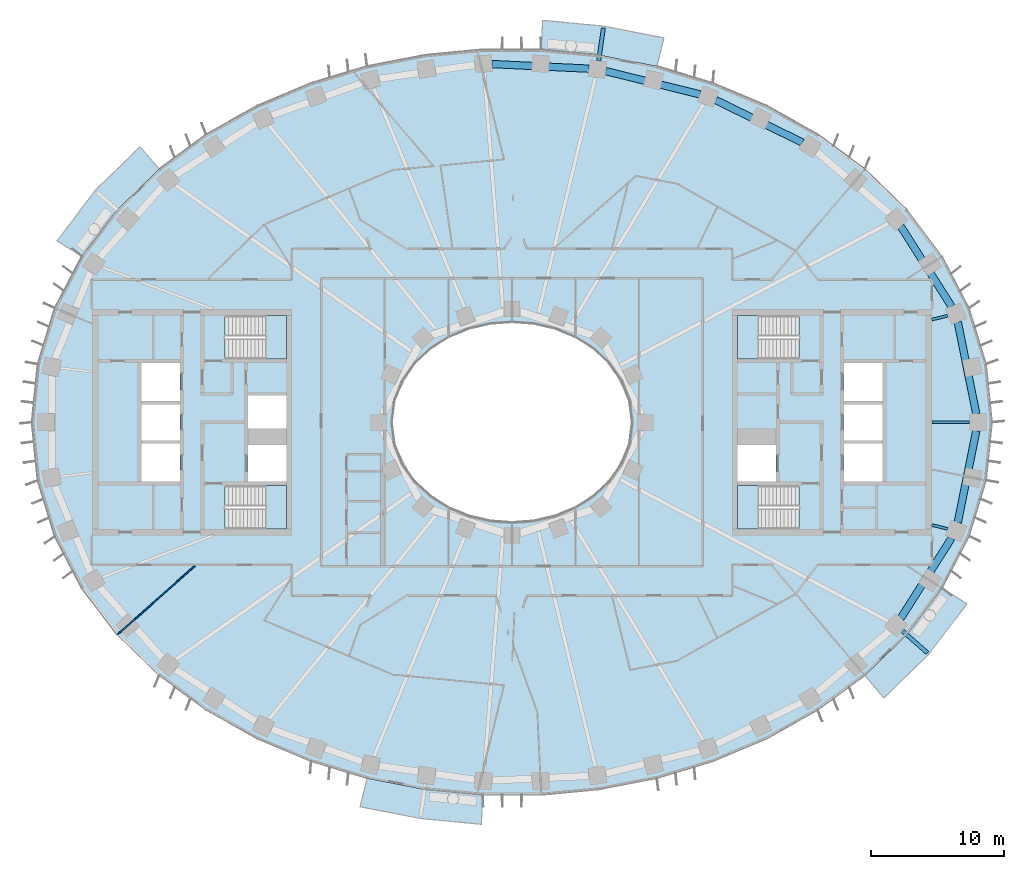
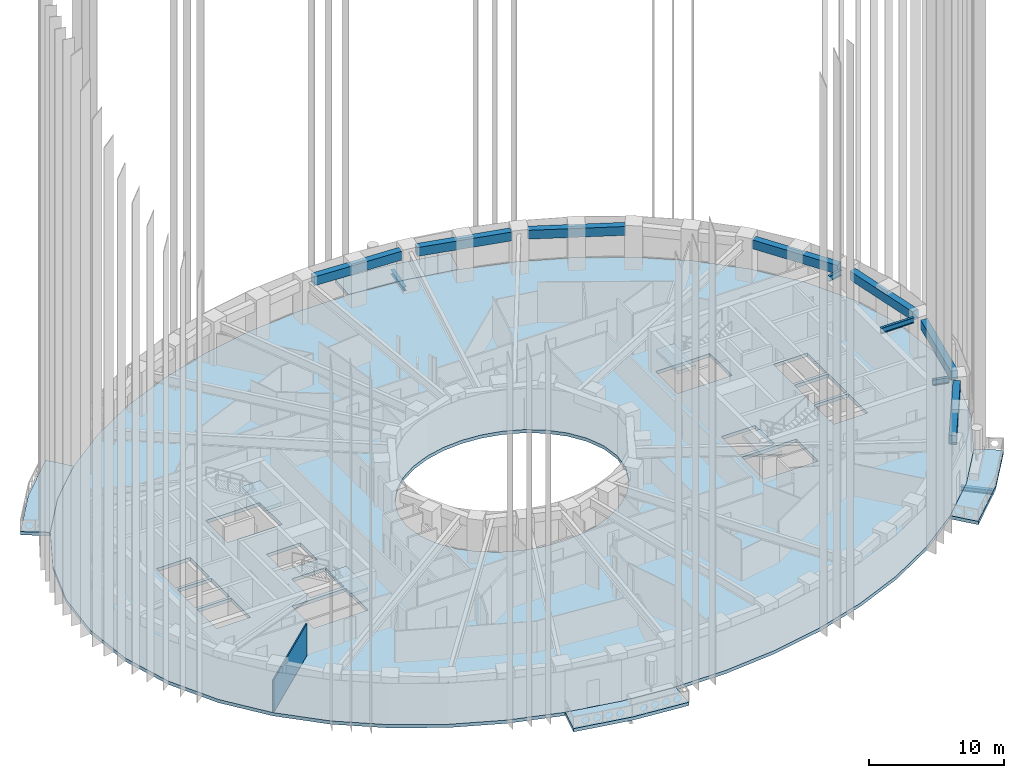
# One storey, part 2 of 20: 12 beams, 9 slabs, 1 wall, 4 elements without a shape of their own.
"""IFC4 building model written with IfcOpenShell, lengths in metres."""

from ifc_helpers import new_model, si_unit, direction, frame, frame_2d, origin, origin_2d, place, context, subcontext, project, spatial, polyline, rectangle, i_section, outline, extrude, material, layer, layer_set, material_profile, profile_set, type_object, element, aggregate, save


model = new_model("IFC4")

# Units and contexts
model_context = context("Model", 3, precision=1e-05, world=origin(), true_north=direction((0.0, 1.0)))
body_context = subcontext(model_context, "Body", "Model", "MODEL_VIEW")
ifc_project = project(units=[si_unit("LENGTHUNIT", "METRE"), si_unit("AREAUNIT", "SQUARE_METRE"), si_unit("VOLUMEUNIT", "CUBIC_METRE"), si_unit("PLANEANGLEUNIT", "RADIAN"), si_unit("MASSUNIT", "GRAM", prefix="KILO")], contexts=[model_context])

# Site, building, storey
site_placement = place(None, origin())
site = spatial("IfcSite", under=ifc_project, at=site_placement, CompositionType="ELEMENT")
building_placement = place(site_placement, origin())
building = spatial("IfcBuilding", under=site, at=building_placement, Name="Noorbagh Ring Tower", CompositionType="ELEMENT")
storey_placement = place(building_placement, frame((0.0, 0.0, 88.0)))
storey = spatial("IfcBuildingStorey", under=building, at=storey_placement, Name="L19", CompositionType="ELEMENT", Elevation=88.0)

# Beams
ifc_material_1 = material(Name="Steel S355", Category="steel")
ifc_material_profile_1 = material_profile(ifc_material_1, i_section(OverallWidth=0.300048828125, OverallDepth=0.39990234375, WebThickness=0.013427734375, FlangeThickness=0.02392578125, FilletRadius=0.027099609375, at=origin_2d()), Name="HEB400")
ifc_profile_set_1 = profile_set([ifc_material_profile_1], Name="Steel S355")
beam_type_1 = type_object("IfcBeamType", Name="STR-BALCONY-BRACKET-HEB400", PredefinedType="BEAM", material=ifc_profile_set_1)
beam_1_placement = place(storey_placement, frame((6.49951171875, 27.1142578125, -0.5), z_axis=(0.14299620794, 0.989723236322, 0.0), x_axis=(-0.989723236322, 0.14299620794, 0.0)))
element("IfcBeam", 1, at=beam_1_placement, inside=storey, type_object=beam_type_1, Name="Balcony bracket beam BN03", PredefinedType="BEAM", context=body_context, shape_type="SweptSolid", body=[
    extrude(i_section(OverallWidth=0.300048828125, OverallDepth=0.39990234375, WebThickness=0.013427734375, FlangeThickness=0.02392578125, FilletRadius=0.027099609375, at=origin_2d()), origin(), (0.0, 0.0, 1.0), 2.473876953125),
])
beam_2_placement = place(storey_placement, frame((29.290771484375, -15.64794921875, -0.5), z_axis=(0.749058582827, -0.662503765645, 0.0), x_axis=(0.662503765645, 0.749058582827, 0.0)))
element("IfcBeam", 2, at=beam_2_placement, inside=storey, type_object=beam_type_1, Name="Balcony bracket beam BS06", PredefinedType="BEAM", context=body_context, shape_type="SweptSolid", body=[
    extrude(i_section(OverallWidth=0.300048828125, OverallDepth=0.39990234375, WebThickness=0.013427734375, FlangeThickness=0.02392578125, FilletRadius=0.027099609375, at=origin_2d()), origin(), (0.0, 0.0, 1.0), 2.479248046875),
])
ifc_material_2 = material(Name="Steel S355", Category="steel")
ifc_material_profile_2 = material_profile(ifc_material_2, i_section(OverallWidth=0.199951171875, OverallDepth=0.5, WebThickness=0.01025390625, FlangeThickness=0.01611328125, FilletRadius=0.02099609375, at=origin_2d()), Name="IPE500")
ifc_profile_set_2 = profile_set([ifc_material_profile_2], Name="Steel S355")
beam_type_2 = type_object("IfcBeamType", Name="STR-RAD-IPE500", PredefinedType="BEAM", material=ifc_profile_set_2)
beam_3_placement = place(storey_placement, frame((34.314697265625, 0.0, 3.449951171875), z_axis=(-1.0, 0.0, 0.0), x_axis=(0.0, -1.0, 0.0)))
element("IfcBeam", 3, at=beam_3_placement, inside=storey, type_object=beam_type_2, Name="L19/bm/RD01", PredefinedType="BEAM", context=body_context, shape_type="SweptSolid", body=[
    extrude(i_section(OverallWidth=0.199951171875, OverallDepth=0.5, WebThickness=0.01025390625, FlangeThickness=0.01611328125, FilletRadius=0.02099609375, at=origin_2d()), origin(), (0.0, 0.0, 1.0), 2.834716796875),
])
for number, where, z_axis, x_axis, name in (
    (4, (32.686279296875, 7.997802734375, 3.449951171875), (-0.971367746696, -0.237580935009, 0.0), (0.237580935009, -0.971367746696, 0.0), "L19/bm/RD03"),
    (5, (32.686279296875, -7.997802734375, 3.449951171875), (-0.971367746696, 0.237580935009, 0.0), (-0.237580935009, -0.971367746696, 0.0), "L19/bm/RD45"),
):
    element("IfcBeam", number, at=place(storey_placement, frame(where, z_axis=z_axis, x_axis=x_axis)), inside=storey, type_object=beam_type_2, Name=name, PredefinedType="BEAM", context=body_context, shape_type="SweptSolid", body=[
        extrude(i_section(OverallWidth=0.199951171875, OverallDepth=0.5, WebThickness=0.01025390625, FlangeThickness=0.01611328125, FilletRadius=0.02099609375, at=origin_2d()), origin(), (0.0, 0.0, 1.0), 1.241455078125),
    ])
ifc_material_3 = material(Name="Concrete C40/50", Category="concrete")
ifc_material_profile_3 = material_profile(ifc_material_3, rectangle(XDim=0.550048828125, YDim=0.800048828125, at=origin_2d()), Name="RC550x800")
ifc_profile_set_3 = profile_set([ifc_material_profile_3], Name="Concrete C40/50")
beam_type_3 = type_object("IfcBeamType", Name="STR-SB-RC550x800-C40-50", PredefinedType="BEAM", material=ifc_profile_set_3)
beam_4_placement = place(storey_placement, frame((34.81787109375, 0.63037109375, 3.300048828125), z_axis=(-0.197218334535, 0.980359591437, 0.0), x_axis=(-0.980359591437, -0.197218334535, 0.0)))
element("IfcBeam", 6, at=beam_4_placement, inside=storey, type_object=beam_type_3, Name="L19/bm/SP01", PredefinedType="BEAM", context=body_context, shape_type="SweptSolid", body=[
    extrude(rectangle(XDim=0.550048828125, YDim=0.800048828125, at=origin_2d()), origin(), (0.0, 0.0, 1.0), 7.027587890625),
])
beam_5_placement = place(storey_placement, frame((32.962646484375, 8.690185546875, 3.300048828125), z_axis=(-0.535215588854, 0.844715498525, 0.0), x_axis=(-0.844715498525, -0.535215588854, 0.0)))
element("IfcBeam", 7, at=beam_5_placement, inside=storey, type_object=beam_type_3, Name="L19/bm/SP03", PredefinedType="BEAM", context=body_context, shape_type="SweptSolid", body=[
    extrude(rectangle(XDim=0.550048828125, YDim=0.800048828125, at=origin_2d()), origin(), (0.0, 0.0, 1.0), 7.104248046875),
])
beam_6_placement = place(storey_placement, frame((21.7919921875, 20.978759765625, 3.300048828125), z_axis=(-0.898412117145, 0.43915335336, 0.0), x_axis=(-0.43915335336, -0.898412117145, 0.0)))
element("IfcBeam", 8, at=beam_6_placement, inside=storey, type_object=beam_type_3, Name="L19/bm/SP07", PredefinedType="BEAM", context=body_context, shape_type="SweptSolid", body=[
    extrude(rectangle(XDim=0.550048828125, YDim=0.800048828125, at=origin_2d()), origin(), (0.0, 0.0, 1.0), 7.249267578125),
])
beam_7_placement = place(storey_placement, frame((14.094482421875, 24.5927734375, 3.300048828125), z_axis=(-0.970826778955, 0.239781911877, 0.0), x_axis=(-0.239781911877, -0.970826778955, 0.0)))
element("IfcBeam", 9, at=beam_7_placement, inside=storey, type_object=beam_type_3, Name="L19/bm/SP09", PredefinedType="BEAM", context=body_context, shape_type="SweptSolid", body=[
    extrude(rectangle(XDim=0.550048828125, YDim=0.800048828125, at=origin_2d()), origin(), (0.0, 0.0, 1.0), 7.282958984375),
])
beam_8_placement = place(storey_placement, frame((5.77685546875, 26.52099609375, 3.300048828125), z_axis=(-0.998868894653, 0.047549251258, 0.0), x_axis=(-0.047549251258, -0.998868894653, 0.0)))
element("IfcBeam", 10, at=beam_8_placement, inside=storey, type_object=beam_type_3, Name="L19/bm/SP11", PredefinedType="BEAM", context=body_context, shape_type="SweptSolid", body=[
    extrude(rectangle(XDim=0.550048828125, YDim=0.800048828125, at=origin_2d()), origin(), (0.0, 0.0, 1.0), 7.296142578125),
])
beam_9_placement = place(storey_placement, frame((29.160400390625, -14.691162109375, 3.300048828125), z_axis=(0.535215588854, 0.844715498525, 0.0), x_axis=(-0.844715498525, 0.535215588854, 0.0)))
element("IfcBeam", 11, at=beam_9_placement, inside=storey, type_object=beam_type_3, Name="L19/bm/SP43", PredefinedType="BEAM", context=body_context, shape_type="SweptSolid", body=[
    extrude(rectangle(XDim=0.550048828125, YDim=0.800048828125, at=origin_2d()), origin(), (0.0, 0.0, 1.0), 7.104248046875),
])
beam_10_placement = place(storey_placement, frame((33.431884765625, -7.52001953125, 3.300048828125), z_axis=(0.197218334535, 0.980359591437, 0.0), x_axis=(-0.980359591437, 0.197218334535, 0.0)))
element("IfcBeam", 12, at=beam_10_placement, inside=storey, type_object=beam_type_3, Name="L19/bm/SP45", PredefinedType="BEAM", context=body_context, shape_type="SweptSolid", body=[
    extrude(rectangle(XDim=0.550048828125, YDim=0.800048828125, at=origin_2d()), origin(), (0.0, 0.0, 1.0), 7.027587890625),
])

# Stair, slab
ifc_material_4 = material(Name="Concrete C40/50", Category="concrete")
stair_type = type_object("IfcStairType", Name="CORE-STAIR", PredefinedType="HALF_TURN_STAIR", material=ifc_material_4)
stair_1_placement = place(storey_placement, origin())
stair_1 = element("IfcStair", 13, at=stair_1_placement, inside=storey, type_object=stair_type, Name="L19 Exit stair ST1", PredefinedType="HALF_TURN_STAIR")
ifc_material_5 = material(Name="Concrete C40/50", Category="concrete")
ifc_layer_1 = layer(ifc_material_5, 0.300048828125)
ifc_layer_set_1 = layer_set([ifc_layer_1], Name="Concrete C40/50")
slab_type_1 = type_object("IfcSlabType", Name="CORE-STAIR-LANDING", PredefinedType="LANDING", material=ifc_layer_set_1)
slab_1_placement = place(storey_placement, frame((0.0, 0.0, 1.699951171875)))
slab_1 = element("IfcSlab", 14, at=slab_1_placement, type_object=slab_type_1, Name="ST1 landing 1", PredefinedType="LANDING", context=body_context, shape_type="SweptSolid", body=[
    extrude(outline(polyline([(-18.449951171875, 4.75), (-16.89990234375, 4.75), (-16.89990234375, 8.0), (-18.449951171875, 8.0), (-18.449951171875, 4.75)])), origin(), (0.0, 0.0, 1.0), 0.300048828125),
])
aggregate(stair_1, [slab_1])

stair_2_placement = place(storey_placement, origin())
stair_2 = element("IfcStair", 15, at=stair_2_placement, inside=storey, type_object=stair_type, Name="L19 Exit stair ST2", PredefinedType="HALF_TURN_STAIR")
slab_2_placement = place(storey_placement, frame((0.0, 0.0, 1.699951171875)))
slab_2 = element("IfcSlab", 16, at=slab_2_placement, type_object=slab_type_1, Name="ST2 landing 1", PredefinedType="LANDING", context=body_context, shape_type="SweptSolid", body=[
    extrude(outline(polyline([(-18.449951171875, -8.0), (-16.89990234375, -8.0), (-16.89990234375, -4.75), (-18.449951171875, -4.75), (-18.449951171875, -8.0)])), origin(), (0.0, 0.0, 1.0), 0.300048828125),
])
aggregate(stair_2, [slab_2])

stair_3_placement = place(storey_placement, origin())
stair_3 = element("IfcStair", 17, at=stair_3_placement, inside=storey, type_object=stair_type, Name="L19 Exit stair ST3", PredefinedType="HALF_TURN_STAIR")
slab_3_placement = place(storey_placement, frame((0.0, 0.0, 1.699951171875)))
slab_3 = element("IfcSlab", 18, at=slab_3_placement, type_object=slab_type_1, Name="ST3 landing 1", PredefinedType="LANDING", context=body_context, shape_type="SweptSolid", body=[
    extrude(outline(polyline([(18.449951171875, 8.0), (16.89990234375, 8.0), (16.89990234375, 4.75), (18.449951171875, 4.75), (18.449951171875, 8.0)])), origin(), (0.0, 0.0, 1.0), 0.300048828125),
])
aggregate(stair_3, [slab_3])

stair_4_placement = place(storey_placement, origin())
stair_4 = element("IfcStair", 19, at=stair_4_placement, inside=storey, type_object=stair_type, Name="L19 Exit stair ST4", PredefinedType="HALF_TURN_STAIR")
slab_4_placement = place(storey_placement, frame((0.0, 0.0, 1.699951171875)))
slab_4 = element("IfcSlab", 20, at=slab_4_placement, type_object=slab_type_1, Name="ST4 landing 1", PredefinedType="LANDING", context=body_context, shape_type="SweptSolid", body=[
    extrude(outline(polyline([(18.449951171875, -4.75), (16.89990234375, -4.75), (16.89990234375, -8.0), (18.449951171875, -8.0), (18.449951171875, -4.75)])), origin(), (0.0, 0.0, 1.0), 0.300048828125),
])
aggregate(stair_4, [slab_4])

# Slabs
ifc_material_6 = material(Name="Concrete C40/50", Category="concrete")
ifc_layer_2 = layer(ifc_material_6, 0.300048828125)
ifc_layer_set_2 = layer_set([ifc_layer_2], Name="Concrete C40/50")
slab_type_2 = type_object("IfcSlabType", Name="ENV-BALCONY DECK 300", PredefinedType="FLOOR", material=ifc_layer_set_2)
slab_5_placement = place(storey_placement, frame((0.0, 0.0, -0.300048828125)))
element("IfcSlab", 21, at=slab_5_placement, inside=storey, type_object=slab_type_2, Name="Tree balcony deck BN03", PredefinedType="FLOOR", context=body_context, shape_type="SweptSolid", body=[
    extrude(outline(polyline([(11.3935546875, 28.832763671875), (6.874755859375, 29.711181640625), (2.2978515625, 30.14794921875), (2.193115234375, 27.947998046875), (6.5595703125, 27.53125), (10.865234375, 26.6943359375), (11.3935546875, 28.832763671875)])), origin(), (0.0, 0.0, 1.0), 0.300048828125),
])
slab_6_placement = place(storey_placement, frame((0.0, 0.0, -0.300048828125)))
element("IfcSlab", 22, at=slab_6_placement, inside=storey, type_object=slab_type_2, Name="Tree balcony deck BN06", PredefinedType="FLOOR", context=body_context, shape_type="SweptSolid", body=[
    extrude(outline(polyline([(-27.888671875, 20.665771484375), (-31.26025390625, 17.389892578125), (-34.120361328125, 13.615966796875), (-32.255126953125, 12.434814453125), (-29.607666015625, 15.92822265625), (-26.463134765625, 18.983154296875), (-27.888671875, 20.665771484375)])), origin(), (0.0, 0.0, 1.0), 0.300048828125),
])
slab_7_placement = place(storey_placement, frame((0.0, 0.0, -0.300048828125)))
element("IfcSlab", 23, at=slab_7_placement, inside=storey, type_object=slab_type_2, Name="Tree balcony deck BS03", PredefinedType="FLOOR", context=body_context, shape_type="SweptSolid", body=[
    extrude(outline(polyline([(-11.3935546875, -28.832763671875), (-6.874755859375, -29.711181640625), (-2.2978515625, -30.14794921875), (-2.193115234375, -27.947998046875), (-6.5595703125, -27.53125), (-10.865234375, -26.6943359375), (-11.3935546875, -28.832763671875)])), origin(), (0.0, 0.0, 1.0), 0.300048828125),
])
slab_8_placement = place(storey_placement, frame((0.0, 0.0, -0.300048828125)))
element("IfcSlab", 24, at=slab_8_placement, inside=storey, type_object=slab_type_2, Name="Tree balcony deck BS06", PredefinedType="FLOOR", context=body_context, shape_type="SweptSolid", body=[
    extrude(outline(polyline([(27.888671875, -20.665771484375), (31.26025390625, -17.389892578125), (34.120361328125, -13.615966796875), (32.255126953125, -12.434814453125), (29.607666015625, -15.92822265625), (26.463134765625, -18.983154296875), (27.888671875, -20.665771484375)])), origin(), (0.0, 0.0, 1.0), 0.300048828125),
])
ifc_material_7 = material(Name="Concrete C40/50", Category="concrete")
ifc_layer_3 = layer(ifc_material_7, 0.300048828125)
ifc_layer_set_3 = layer_set([ifc_layer_3], Name="Concrete C40/50")
slab_type_3 = type_object("IfcSlabType", Name="STR-FLOOR-DECK-300", PredefinedType="FLOOR", material=ifc_layer_set_3)
slab_9_placement = place(storey_placement, frame((0.0, 0.0, -0.300048828125)))
element("IfcSlab", 25, at=slab_9_placement, inside=storey, type_object=slab_type_3, Name="L19/slab/1", PredefinedType="FLOOR", context=body_context, shape_type="SweptSolid", body=[
    extrude(outline(polyline([(36.0, 0.0), (35.56103515625, 4.358642578125), (34.281005859375, 8.548828125), (32.255126953125, 12.434814453125), (29.607666015625, 15.92822265625), (26.463134765625, 18.983154296875), (22.9326171875, 21.583740234375), (19.108154296875, 23.730224609375), (15.0654296875, 25.430419921875), (10.865234375, 26.6943359375), (6.5595703125, 27.53125), (2.193115234375, 27.947998046875), (-2.193115234375, 27.947998046875), (-6.5595703125, 27.53125), (-10.865234375, 26.6943359375), (-15.0654296875, 25.430419921875), (-19.108154296875, 23.730224609375), (-22.9326171875, 21.583740234375), (-26.463134765625, 18.983154296875), (-29.607666015625, 15.92822265625), (-32.255126953125, 12.434814453125), (-34.281005859375, 8.548828125), (-35.56103515625, 4.358642578125), (-36.0, 0.0), (-35.56103515625, -4.358642578125), (-34.281005859375, -8.548828125), (-32.255126953125, -12.434814453125), (-29.607666015625, -15.92822265625), (-26.463134765625, -18.983154296875), (-22.9326171875, -21.583740234375), (-19.108154296875, -23.730224609375), (-15.0654296875, -25.430419921875), (-10.865234375, -26.6943359375), (-6.5595703125, -27.53125), (-2.193115234375, -27.947998046875), (2.193115234375, -27.947998046875), (6.5595703125, -27.53125), (10.865234375, -26.6943359375), (15.0654296875, -25.430419921875), (19.108154296875, -23.730224609375), (22.9326171875, -21.583740234375), (26.463134765625, -18.983154296875), (29.607666015625, -15.92822265625), (32.255126953125, -12.434814453125), (34.281005859375, -8.548828125), (35.56103515625, -4.358642578125), (36.0, 0.0)]), holes=[polyline([(24.89990234375, -1.60009765625), (27.800048828125, -1.60009765625), (27.800048828125, -4.449951171875), (24.89990234375, -4.449951171875), (24.89990234375, -1.60009765625)]), polyline([(24.89990234375, 1.35009765625), (27.800048828125, 1.35009765625), (27.800048828125, -1.35009765625), (24.89990234375, -1.35009765625), (24.89990234375, 1.35009765625)]), polyline([(24.89990234375, 4.449951171875), (27.800048828125, 4.449951171875), (27.800048828125, 1.60009765625), (24.89990234375, 1.60009765625), (24.89990234375, 4.449951171875)]), polyline([(21.529541015625, -4.75), (21.529541015625, -8.0), (16.89990234375, -8.0), (16.89990234375, -4.75), (21.529541015625, -4.75)]), polyline([(21.529541015625, 4.75), (16.89990234375, 4.75), (16.89990234375, 8.0), (21.529541015625, 8.0), (21.529541015625, 4.75)]), polyline([(16.89990234375, -1.699951171875), (19.800048828125, -1.699951171875), (19.800048828125, -4.449951171875), (16.89990234375, -4.449951171875), (16.89990234375, -1.699951171875)]), polyline([(4.697509765625, -6.3974609375), (3.196533203125, -7.010986328125), (1.6171875, -7.3779296875), (0.0, -7.5), (-1.6171875, -7.3779296875), (-3.196533203125, -7.010986328125), (-4.697509765625, -6.3974609375), (-6.071044921875, -5.53662109375), (-7.2587890625, -4.43408203125), (-8.1904296875, -3.10888671875), (-8.79150390625, -1.605224609375), (-9.0, 0.0), (-8.79150390625, 1.605224609375), (-8.1904296875, 3.10888671875), (-7.2587890625, 4.43408203125), (-6.071044921875, 5.53662109375), (-4.697509765625, 6.3974609375), (-3.196533203125, 7.010986328125), (-1.6171875, 7.3779296875), (0.0, 7.5), (1.6171875, 7.3779296875), (3.196533203125, 7.010986328125), (4.697509765625, 6.3974609375), (6.071044921875, 5.53662109375), (7.2587890625, 4.43408203125), (8.1904296875, 3.10888671875), (8.79150390625, 1.605224609375), (9.0, 0.0), (8.79150390625, -1.605224609375), (8.1904296875, -3.10888671875), (7.2587890625, -4.43408203125), (6.071044921875, -5.53662109375), (4.697509765625, -6.3974609375)]), polyline([(-21.529541015625, -8.0), (-21.529541015625, -4.75), (-16.89990234375, -4.75), (-16.89990234375, -8.0), (-21.529541015625, -8.0)]), polyline([(-21.529541015625, 8.0), (-16.89990234375, 8.0), (-16.89990234375, 4.75), (-21.529541015625, 4.75), (-21.529541015625, 8.0)]), polyline([(-16.89990234375, -4.449951171875), (-19.800048828125, -4.449951171875), (-19.800048828125, -1.699951171875), (-16.89990234375, -1.699951171875), (-16.89990234375, -4.449951171875)]), polyline([(-16.89990234375, -0.449951171875), (-19.800048828125, -0.449951171875), (-19.800048828125, 2.0), (-16.89990234375, 2.0), (-16.89990234375, -0.449951171875)]), polyline([(-24.89990234375, -4.449951171875), (-27.800048828125, -4.449951171875), (-27.800048828125, -1.60009765625), (-24.89990234375, -1.60009765625), (-24.89990234375, -4.449951171875)]), polyline([(-24.89990234375, -1.35009765625), (-27.800048828125, -1.35009765625), (-27.800048828125, 1.35009765625), (-24.89990234375, 1.35009765625), (-24.89990234375, -1.35009765625)]), polyline([(-24.89990234375, 1.60009765625), (-27.800048828125, 1.60009765625), (-27.800048828125, 4.449951171875), (-24.89990234375, 4.449951171875), (-24.89990234375, 1.60009765625)])]), origin(), (0.0, 0.0, 1.0), 0.300048828125),
])

# Wall
ifc_material_8 = material(Name="Gypsum board on steel studs", Category="steel")
ifc_layer_4 = layer(ifc_material_8, 0.10009765625)
ifc_layer_set_4 = layer_set([ifc_layer_4], Name="Gypsum board on steel studs")
wall_type = type_object("IfcWallType", Name="PARTITION 100 GYPSUM", PredefinedType="PARTITIONING", material=ifc_layer_set_4)
wall_placement = place(storey_placement, frame((-29.569091796875, -15.89501953125, 0.0), z_axis=(0.0, 0.0, 1.0), x_axis=(0.748985701008, 0.662586160198, 0.0)))
element("IfcWall", 26, at=wall_placement, inside=storey, type_object=wall_type, Name="L19/wall/P06", PredefinedType="PARTITIONING", context=body_context, shape_type="SweptSolid", body=[
    extrude(rectangle(XDim=7.72265625, YDim=0.10009765625, at=frame_2d((3.861328125, 0.0))), origin(), (0.0, 0.0, 1.0), 2.89990234375),
])

save(model, "model.ifc")
